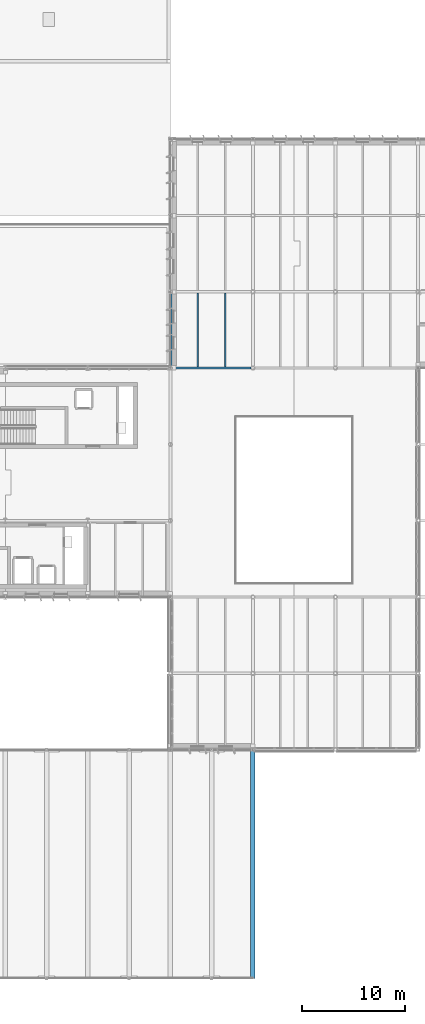
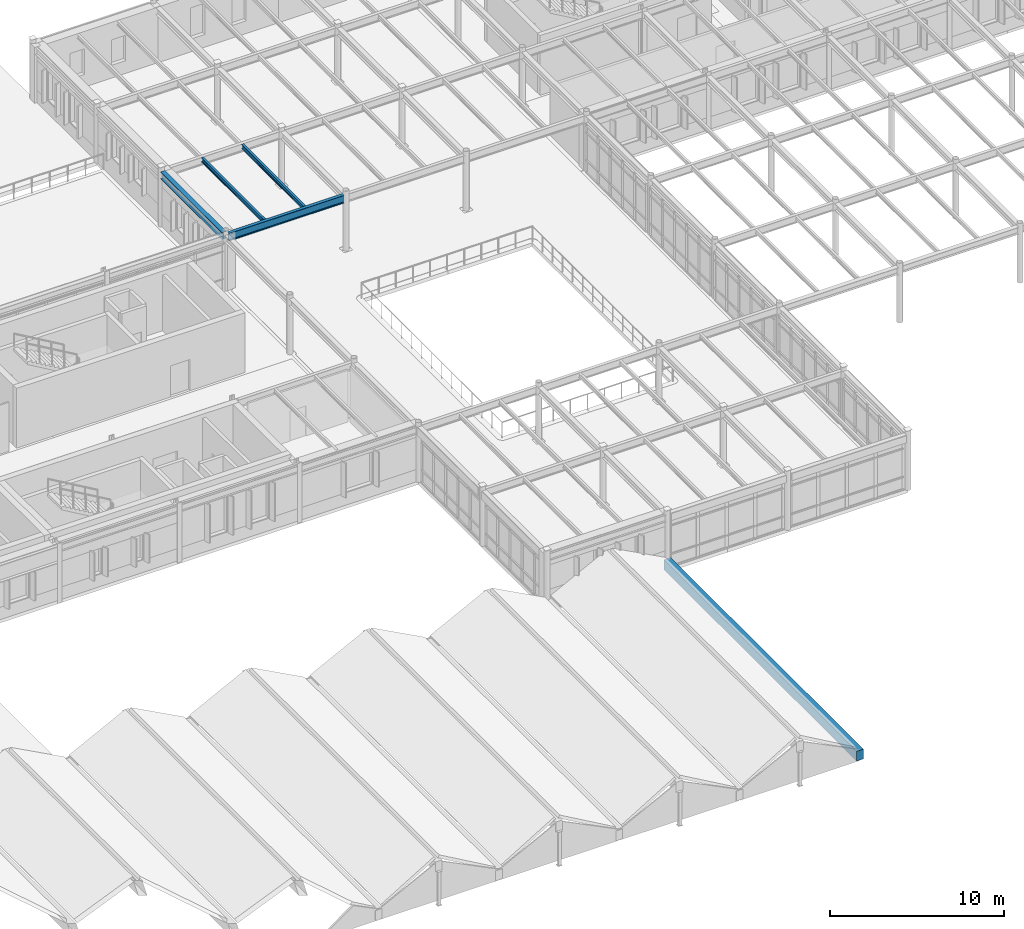
# One storey, part 20 of 63: 5 beams.
"""IFC4 building model written with IfcOpenShell, lengths in metres."""

from ifc_helpers import new_model, si_unit, direction, frame, origin, origin_2d, place, context, subcontext, project, spatial, rectangle, i_section, extrude, material, material_profile, profile_set, type_object, element, save


model = new_model("IFC4")

# Units and contexts
model_context = context("Model", 3, precision=1e-05, world=origin(), true_north=direction((0.0, 1.0)))
body_context = subcontext(model_context, "Body", "Model", "MODEL_VIEW")
ifc_project = project(units=[si_unit("LENGTHUNIT", "METRE"), si_unit("AREAUNIT", "SQUARE_METRE"), si_unit("VOLUMEUNIT", "CUBIC_METRE"), si_unit("PLANEANGLEUNIT", "RADIAN"), si_unit("MASSUNIT", "GRAM", prefix="KILO")], contexts=[model_context])

# Site, building, storey
site_placement = place(None, origin())
site = spatial("IfcSite", under=ifc_project, at=site_placement, CompositionType="ELEMENT")
building_placement = place(site_placement, origin())
building = spatial("IfcBuilding", under=site, at=building_placement, Name="Valkorina Park Police Headquarters", CompositionType="ELEMENT")
storey_placement = place(building_placement, frame((0.0, 0.0, 9.89990234375)))
storey = spatial("IfcBuildingStorey", under=building, at=storey_placement, Name="L03", CompositionType="ELEMENT", Elevation=9.89990234375)

# Beams
ifc_material_1 = material(Name="Concrete C40/50", Category="concrete")
ifc_material_profile_1 = material_profile(ifc_material_1, rectangle(XDim=0.449951171875, YDim=0.699951171875, at=origin_2d()), Name="RC RIDGE 450x700")
ifc_profile_set_1 = profile_set([ifc_material_profile_1], Name="Concrete C40/50")
beam_type_1 = type_object("IfcBeamType", Name="BM-RC-RIDGE-EXT", PredefinedType="BEAM", material=ifc_profile_set_1)
beam_1_placement = place(storey_placement, frame((64.800048828125, 0.0, 0.35009765625), z_axis=(0.0, 1.0, 0.0), x_axis=(-1.0, 0.0, 0.0)))
element("IfcBeam", 1, at=beam_1_placement, inside=storey, type_object=beam_type_1, Name="V1 Folded-Plate Valley Beam 7.2", PredefinedType="BEAM", context=body_context, shape_type="SweptSolid", body=[
    extrude(rectangle(XDim=0.449951171875, YDim=0.699951171875, at=origin_2d()), origin(), (0.0, 0.0, 1.0), 22.199951171875),
])
ifc_material_2 = material(Name="Steel S355", Category="steel")
ifc_material_profile_2 = material_profile(ifc_material_2, i_section(OverallWidth=0.300048828125, OverallDepth=0.489990234375, WebThickness=0.011962890625, FlangeThickness=0.02294921875, FilletRadius=0.027099609375, at=origin_2d()), Name="HEA 500")
ifc_profile_set_2 = profile_set([ifc_material_profile_2], Name="Steel S355")
beam_type_2 = type_object("IfcBeamType", Name="BM-S355-HEA500-SPN", PredefinedType="SPANDREL", material=ifc_profile_set_2)
beam_2_placement = place(storey_placement, frame((56.800048828125, 59.377685546875, 3.675048828125), z_axis=(0.0, 1.0, 0.0), x_axis=(-1.0, 0.0, 0.0)))
element("IfcBeam", 2, at=beam_2_placement, inside=storey, type_object=beam_type_2, Name="L03 Framing Beam 2002", PredefinedType="SPANDREL", context=body_context, shape_type="SweptSolid", body=[
    extrude(i_section(OverallWidth=0.300048828125, OverallDepth=0.489990234375, WebThickness=0.011962890625, FlangeThickness=0.02294921875, FilletRadius=0.027099609375, at=origin_2d()), origin(), (0.0, 0.0, 1.0), 7.04443359375),
])
ifc_material_profile_3 = material_profile(ifc_material_2, i_section(OverallWidth=0.14990234375, OverallDepth=0.300048828125, WebThickness=0.007080078125, FlangeThickness=0.0107421875, FilletRadius=0.014892578125, at=origin_2d()), Name="IPE 300")
ifc_profile_set_3 = profile_set([ifc_material_profile_3], Name="Steel S355")
beam_type_3 = type_object("IfcBeamType", Name="BM-S355-IPE300-JST", PredefinedType="JOIST", material=ifc_profile_set_3)
for number, where, z_axis, x_axis, name in (
    (3, (59.466796875, 59.304931640625, 3.77001953125), (0.0, 1.0, 0.0), (-1.0, 0.0, 0.0), "L03 Framing Beam 2003"),
    (4, (62.13330078125, 59.304931640625, 3.77001953125), (0.0, 1.0, 0.0), (-1.0, 0.0, 0.0), "L03 Framing Beam 2004"),
):
    element("IfcBeam", number, at=place(storey_placement, frame(where, z_axis=z_axis, x_axis=x_axis)), inside=storey, type_object=beam_type_3, Name=name, PredefinedType="JOIST", context=body_context, shape_type="SweptSolid", body=[
        extrude(i_section(OverallWidth=0.14990234375, OverallDepth=0.300048828125, WebThickness=0.007080078125, FlangeThickness=0.0107421875, FilletRadius=0.014892578125, at=origin_2d()), origin(), (0.0, 0.0, 1.0), 7.190185546875),
    ])
ifc_material_profile_4 = material_profile(ifc_material_2, i_section(OverallWidth=0.2099609375, OverallDepth=0.550048828125, WebThickness=0.010986328125, FlangeThickness=0.01708984375, FilletRadius=0.02392578125, at=origin_2d()), Name="IPE 550")
ifc_profile_set_4 = profile_set([ifc_material_profile_4], Name="Steel S355")
beam_type_4 = type_object("IfcBeamType", Name="BM-S355-IPE550-BM", PredefinedType="BEAM", material=ifc_profile_set_4)
beam_3_placement = place(storey_placement, frame((56.977783203125, 59.199951171875, 3.64501953125), z_axis=(1.0, 0.0, 0.0), x_axis=(0.0, 1.0, 0.0)))
element("IfcBeam", 5, at=beam_3_placement, inside=storey, type_object=beam_type_4, Name="L03 Framing Beam 1904", PredefinedType="BEAM", context=body_context, shape_type="SweptSolid", body=[
    extrude(i_section(OverallWidth=0.2099609375, OverallDepth=0.550048828125, WebThickness=0.010986328125, FlangeThickness=0.01708984375, FilletRadius=0.02392578125, at=origin_2d()), origin(), (0.0, 0.0, 1.0), 7.64453125),
])

save(model, "model.ifc")
